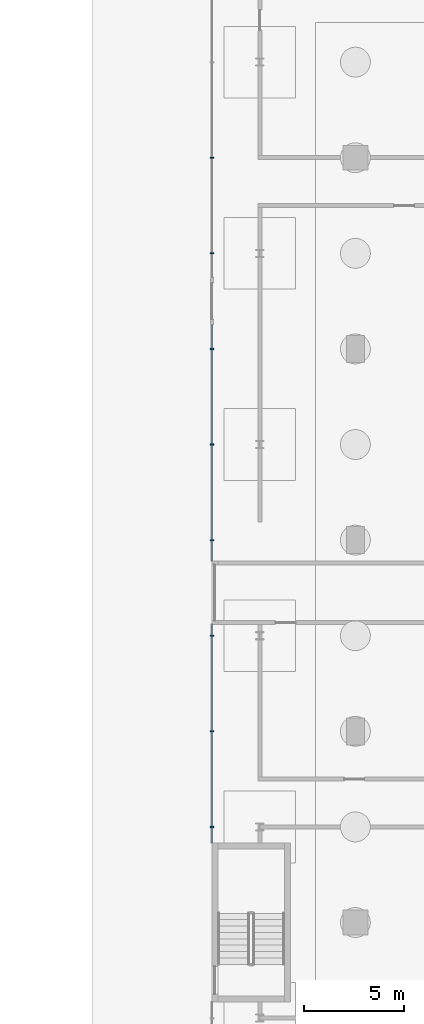
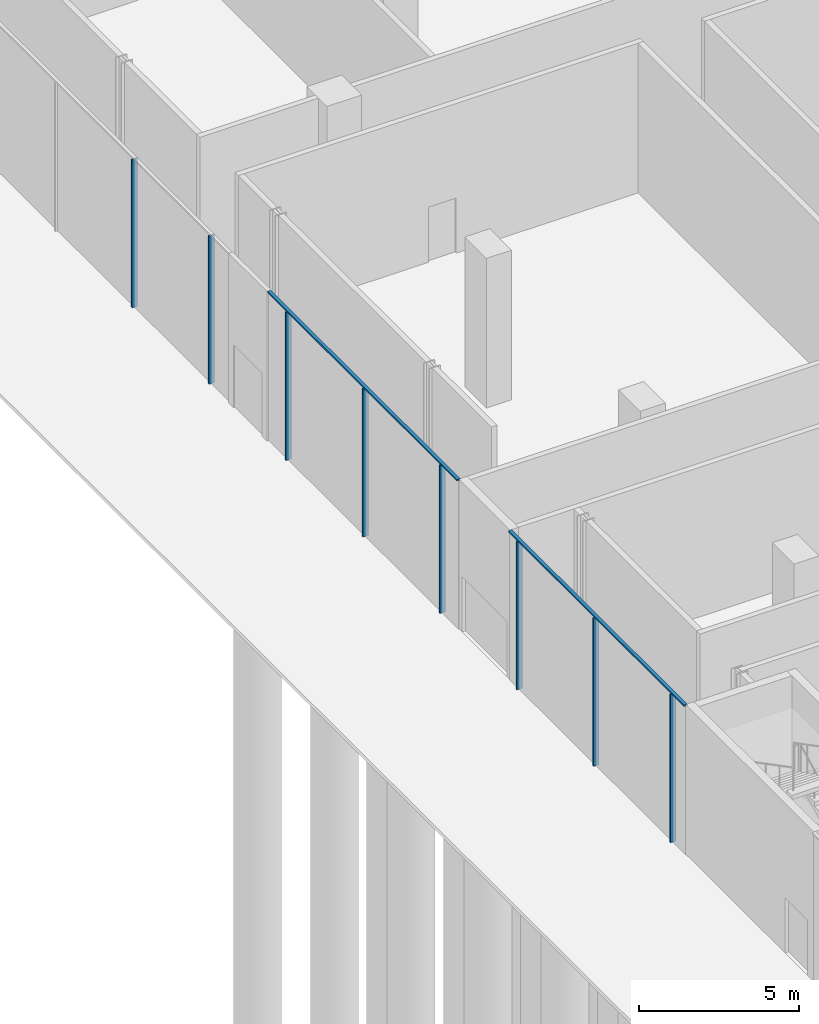
# One storey, part 13 of 44: 10 members, 1 element without a shape of its own.
"""IFC4 building model written with IfcOpenShell, lengths in metres."""

from ifc_helpers import new_model, si_unit, direction, frame, origin, origin_2d, place, context, subcontext, project, spatial, rectangle, extrude, material, layer, layer_set, material_profile, profile_set, type_object, element, aggregate, save


model = new_model("IFC4")

# Units and contexts
model_context = context("Model", 3, precision=1e-05, world=origin(), true_north=direction((0.0, 1.0)))
body_context = subcontext(model_context, "Body", "Model", "MODEL_VIEW")
ifc_project = project(units=[si_unit("LENGTHUNIT", "METRE"), si_unit("AREAUNIT", "SQUARE_METRE"), si_unit("VOLUMEUNIT", "CUBIC_METRE"), si_unit("PLANEANGLEUNIT", "RADIAN"), si_unit("MASSUNIT", "GRAM", prefix="KILO")], contexts=[model_context])

# Site, building, storey
site_placement = place(None, origin())
site = spatial("IfcSite", under=ifc_project, at=site_placement, CompositionType="ELEMENT")
building_placement = place(site_placement, origin())
building = spatial("IfcBuilding", under=site, at=building_placement, Name="Madar Terraces", CompositionType="ELEMENT")
storey_placement = place(building_placement, origin())
storey = spatial("IfcBuildingStorey", under=building, at=storey_placement, Name="L00", CompositionType="ELEMENT", Elevation=0.0)

# Curtain wall, members
ifc_material_1 = material(Name="Glass, clear low-iron, with black aluminium frame", Category="aluminium")
ifc_layer = layer(ifc_material_1, 0.199951171875)
ifc_layer_set = layer_set([ifc_layer], Name="Facade curtain wall, shopfront glazing")
curtain_wall_type = type_object("IfcCurtainWallType", Name="Facade curtain wall, shopfront glazing", PredefinedType="NOTDEFINED", material=ifc_layer_set)
curtain_wall_placement = place(storey_placement, origin())
curtain_wall = element("IfcCurtainWall", 1, at=curtain_wall_placement, inside=storey, type_object=curtain_wall_type, Name="Outer skin curtain wall west bay 1", PredefinedType="NOTDEFINED")
ifc_material_2 = material(Name="Aluminium, black anodised", Category="aluminium")
ifc_material_profile_1 = material_profile(ifc_material_2, rectangle(XDim=0.199951171875, YDim=0.06005859375, at=origin_2d()), Name="Facade mullion 60x200")
ifc_profile_set_1 = profile_set([ifc_material_profile_1], Name="Aluminium, black anodised")
member_type_1 = type_object("IfcMemberType", Name="Facade mullion 60x200", PredefinedType="MULLION", material=ifc_profile_set_1)
member_1_placement = place(storey_placement, frame((-7.199951171875, 43.199951171875, 0.0), z_axis=(0.0, 0.0, 1.0), x_axis=(1.0, 0.0, 0.0)))
member_1 = element("IfcMember", 2, at=member_1_placement, type_object=member_type_1, Name="Mullion 2", PredefinedType="MULLION", context=body_context, shape_type="SweptSolid", body=[
    extrude(rectangle(XDim=0.199951171875, YDim=0.06005859375, at=origin_2d()), origin(), (0.0, 0.0, 1.0), 5.639892578125),
])
member_2_placement = place(storey_placement, frame((-7.199951171875, 38.39990234375, 0.0), z_axis=(0.0, 0.0, 1.0), x_axis=(1.0, 0.0, 0.0)))
member_2 = element("IfcMember", 3, at=member_2_placement, type_object=member_type_1, Name="Mullion 3", PredefinedType="MULLION", context=body_context, shape_type="SweptSolid", body=[
    extrude(rectangle(XDim=0.199951171875, YDim=0.06005859375, at=origin_2d()), origin(), (0.0, 0.0, 1.0), 5.639892578125),
])
member_3_placement = place(storey_placement, frame((-7.199951171875, 33.60009765625, 0.0), z_axis=(0.0, 0.0, 1.0), x_axis=(1.0, 0.0, 0.0)))
member_3 = element("IfcMember", 4, at=member_3_placement, type_object=member_type_1, Name="Mullion 4", PredefinedType="MULLION", context=body_context, shape_type="SweptSolid", body=[
    extrude(rectangle(XDim=0.199951171875, YDim=0.06005859375, at=origin_2d()), origin(), (0.0, 0.0, 1.0), 5.639892578125),
])
member_4_placement = place(storey_placement, frame((-7.199951171875, 28.800048828125, 0.0), z_axis=(0.0, 0.0, 1.0), x_axis=(1.0, 0.0, 0.0)))
member_4 = element("IfcMember", 5, at=member_4_placement, type_object=member_type_1, Name="Mullion 5", PredefinedType="MULLION", context=body_context, shape_type="SweptSolid", body=[
    extrude(rectangle(XDim=0.199951171875, YDim=0.06005859375, at=origin_2d()), origin(), (0.0, 0.0, 1.0), 5.639892578125),
])
member_5_placement = place(storey_placement, frame((-7.199951171875, 24.0, 0.0), z_axis=(0.0, 0.0, 1.0), x_axis=(1.0, 0.0, 0.0)))
member_5 = element("IfcMember", 6, at=member_5_placement, type_object=member_type_1, Name="Mullion 6", PredefinedType="MULLION", context=body_context, shape_type="SweptSolid", body=[
    extrude(rectangle(XDim=0.199951171875, YDim=0.06005859375, at=origin_2d()), origin(), (0.0, 0.0, 1.0), 5.639892578125),
])
member_6_placement = place(storey_placement, frame((-7.199951171875, 19.199951171875, 0.0), z_axis=(0.0, 0.0, 1.0), x_axis=(1.0, 0.0, 0.0)))
member_6 = element("IfcMember", 7, at=member_6_placement, type_object=member_type_1, Name="Mullion 7", PredefinedType="MULLION", context=body_context, shape_type="SweptSolid", body=[
    extrude(rectangle(XDim=0.199951171875, YDim=0.06005859375, at=origin_2d()), origin(), (0.0, 0.0, 1.0), 5.639892578125),
])
member_7_placement = place(storey_placement, frame((-7.199951171875, 14.39990234375, 0.0), z_axis=(0.0, 0.0, 1.0), x_axis=(1.0, 0.0, 0.0)))
member_7 = element("IfcMember", 8, at=member_7_placement, type_object=member_type_1, Name="Mullion 8", PredefinedType="MULLION", context=body_context, shape_type="SweptSolid", body=[
    extrude(rectangle(XDim=0.199951171875, YDim=0.06005859375, at=origin_2d()), origin(), (0.0, 0.0, 1.0), 5.639892578125),
])
member_8_placement = place(storey_placement, frame((-7.199951171875, 9.60009765625, 0.0), z_axis=(0.0, 0.0, 1.0), x_axis=(1.0, 0.0, 0.0)))
member_8 = element("IfcMember", 9, at=member_8_placement, type_object=member_type_1, Name="Mullion 9", PredefinedType="MULLION", context=body_context, shape_type="SweptSolid", body=[
    extrude(rectangle(XDim=0.199951171875, YDim=0.06005859375, at=origin_2d()), origin(), (0.0, 0.0, 1.0), 5.639892578125),
])
ifc_material_3 = material(Name="Aluminium, black anodised", Category="aluminium")
ifc_material_profile_2 = material_profile(ifc_material_3, rectangle(XDim=0.1201171875, YDim=0.06005859375, at=origin_2d()), Name="Facade transom 60x120")
ifc_profile_set_2 = profile_set([ifc_material_profile_2], Name="Aluminium, black anodised")
member_type_2 = type_object("IfcMemberType", Name="Facade transom 60x120", PredefinedType="USERDEFINED", material=ifc_profile_set_2)
member_9_placement = place(storey_placement, frame((-7.199951171875, 34.800048828125, 5.669921875), z_axis=(0.0, -1.0, 0.0), x_axis=(1.0, 0.0, 0.0)))
member_9 = element("IfcMember", 10, at=member_9_placement, type_object=member_type_2, Name="Transom 2", ObjectType="TRANSOM", PredefinedType="USERDEFINED", context=body_context, shape_type="SweptSolid", body=[
    extrude(rectangle(XDim=0.1201171875, YDim=0.06005859375, at=origin_2d()), origin(), (0.0, 0.0, 1.0), 11.840087890625),
])
member_10_placement = place(storey_placement, frame((-7.199951171875, 19.760009765625, 5.669921875), z_axis=(0.0, -1.0, 0.0), x_axis=(1.0, 0.0, 0.0)))
member_10 = element("IfcMember", 11, at=member_10_placement, type_object=member_type_2, Name="Transom 3", ObjectType="TRANSOM", PredefinedType="USERDEFINED", context=body_context, shape_type="SweptSolid", body=[
    extrude(rectangle(XDim=0.1201171875, YDim=0.06005859375, at=origin_2d()), origin(), (0.0, 0.0, 1.0), 10.9599609375),
])
aggregate(curtain_wall, [member_1, member_2, member_3, member_4, member_5, member_9, member_6, member_7, member_8, member_10])

save(model, "model.ifc")
